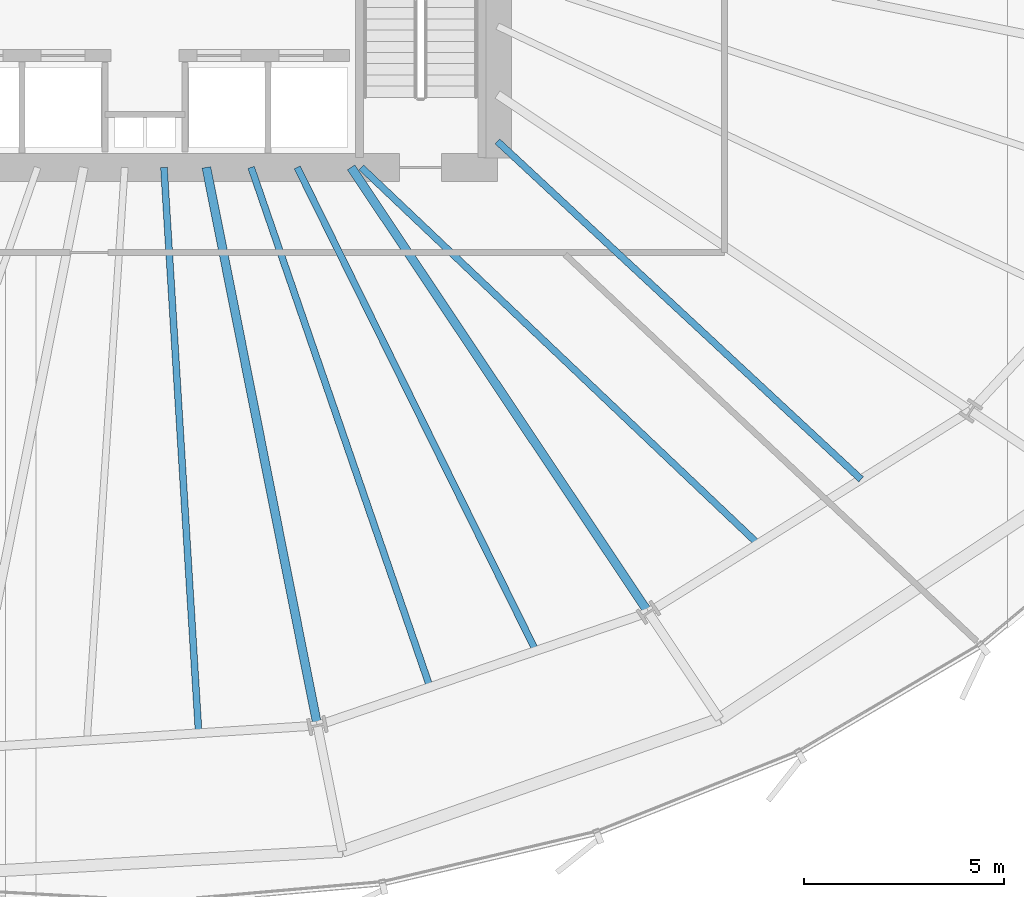
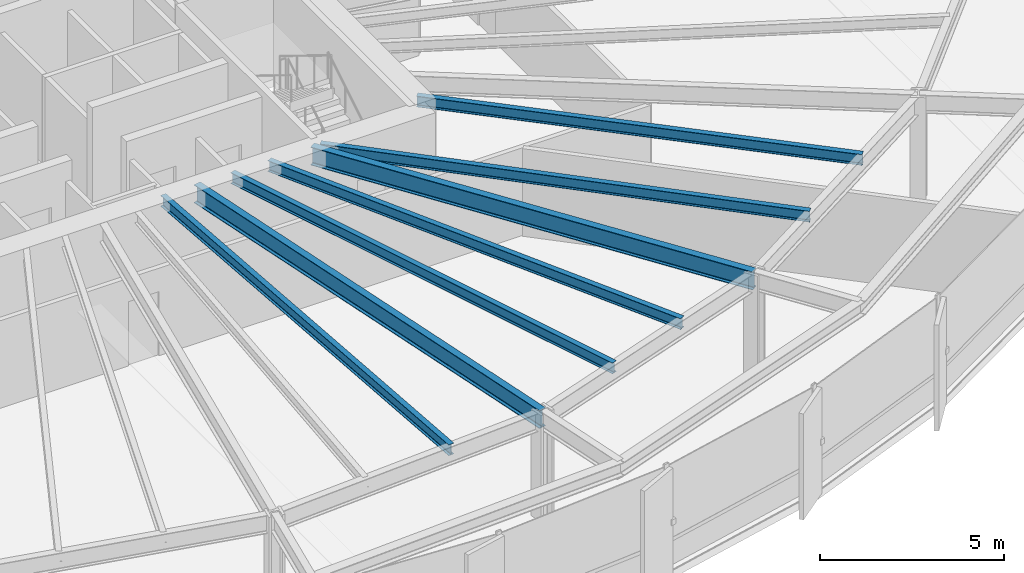
# One storey, part 12 of 39: 7 beams.
"""IFC4 building model written with IfcOpenShell, lengths in metres."""

from ifc_helpers import new_model, si_unit, direction, frame, origin, origin_2d, place, context, subcontext, project, spatial, i_section, extrude, source, transform, mapped, material, material_profile, profile_set, type_object, element, save


model = new_model("IFC4")

# Units and contexts
model_context = context("Model", 3, precision=1e-05, world=origin(), true_north=direction((0.0, 1.0)))
body_context = subcontext(model_context, "Body", "Model", "MODEL_VIEW")
ifc_project = project(units=[si_unit("LENGTHUNIT", "METRE"), si_unit("AREAUNIT", "SQUARE_METRE"), si_unit("VOLUMEUNIT", "CUBIC_METRE"), si_unit("PLANEANGLEUNIT", "RADIAN"), si_unit("MASSUNIT", "GRAM", prefix="KILO"), si_unit("THERMODYNAMICTEMPERATUREUNIT", "KELVIN")], contexts=[model_context])

# Site, building, storey
site_placement = place(None, origin())
site = spatial("IfcSite", under=ifc_project, at=site_placement, CompositionType="ELEMENT")
building_placement = place(site_placement, origin())
building = spatial("IfcBuilding", under=site, at=building_placement, Name="Kethvar Cultural Tower", CompositionType="ELEMENT")
storey_placement = place(building_placement, frame((0.0, 0.0, 33.39990234375)))
storey = spatial("IfcBuildingStorey", under=building, at=storey_placement, Name="L07", CompositionType="ELEMENT", Elevation=33.39990234375)

# Beams
ifc_material = material(Name="Steel S355J2", Category="steel")
ifc_material_profile_1 = material_profile(ifc_material, i_section(OverallWidth=0.219970703125, OverallDepth=0.60009765625, WebThickness=0.011962890625, FlangeThickness=0.01904296875, FilletRadius=0.02392578125, at=origin_2d()), Name="Steel S355J2 — IPE600")
ifc_profile_set_1 = profile_set([ifc_material_profile_1], Name="Steel S355J2 — IPE600")
beam_type_1 = type_object("IfcBeamType", Name="BM-IPE600", PredefinedType="BEAM", material=ifc_profile_set_1)
shared_shape_1 = source(origin(), body_context, "Body", "SweptSolid", [
    extrude(i_section(OverallWidth=0.219970703125, OverallDepth=0.60009765625, WebThickness=0.011962890625, FlangeThickness=0.01904296875, FilletRadius=0.02392578125, at=origin_2d()), origin(), (0.0, 0.0, 1.0), 14.210693359375),
])
beam_1_placement = place(storey_placement, frame((48.33154296875, 20.10009765625, 3.248046875), z_axis=(0.195098432651, -0.980783667063, 0.0), x_axis=(0.980783667063, 0.195098432651, 0.0)))
element("IfcBeam", 1, at=beam_1_placement, inside=storey, type_object=beam_type_1, Name="L07 Primary Radial Beam RB-13", PredefinedType="BEAM", context=body_context, shape_type="MappedRepresentation", body=[
    mapped(shared_shape_1, transform((0.0, 0.0, 0.0), scale=1.0)),
])
shared_shape_2 = source(origin(), body_context, "Body", "SweptSolid", [
    extrude(i_section(OverallWidth=0.219970703125, OverallDepth=0.60009765625, WebThickness=0.011962890625, FlangeThickness=0.01904296875, FilletRadius=0.02392578125, at=origin_2d()), origin(), (0.0, 0.0, 1.0), 13.365478515625),
])
beam_2_placement = place(storey_placement, frame((51.945068359375, 20.10009765625, 3.248046875), z_axis=(0.555559834465, -0.831476560301, 0.0), x_axis=(0.831476560301, 0.555559834465, 0.0)))
element("IfcBeam", 2, at=beam_2_placement, inside=storey, type_object=beam_type_1, Name="L07 Primary Radial Beam RB-14", PredefinedType="BEAM", context=body_context, shape_type="MappedRepresentation", body=[
    mapped(shared_shape_2, transform((0.0, 0.0, 0.0), scale=1.0)),
])
ifc_material_profile_2 = material_profile(ifc_material, i_section(OverallWidth=0.169921875, OverallDepth=0.360107421875, WebThickness=0.008056640625, FlangeThickness=0.0126953125, FilletRadius=0.01806640625, at=origin_2d()), Name="Steel S355J2 — IPE360")
ifc_profile_set_2 = profile_set([ifc_material_profile_2], Name="Steel S355J2 — IPE360")
beam_type_2 = type_object("IfcBeamType", Name="BM-J360", PredefinedType="JOIST", material=ifc_profile_set_2)
shared_shape_3 = source(origin(), body_context, "Body", "SweptSolid", [
    extrude(i_section(OverallWidth=0.169921875, OverallDepth=0.360107421875, WebThickness=0.008056640625, FlangeThickness=0.0126953125, FilletRadius=0.01806640625, at=origin_2d()), origin(), (0.0, 0.0, 1.0), 14.156494140625),
])
beam_3_placement = place(storey_placement, frame((47.272216796875, 20.10009765625, 3.3681640625), z_axis=(0.06122296991, -0.998124114505, 0.0), x_axis=(0.998124114505, 0.06122296991, 0.0)))
element("IfcBeam", 3, at=beam_3_placement, inside=storey, type_object=beam_type_2, Name="L07 Composite Floor Joist J-12B", PredefinedType="JOIST", context=body_context, shape_type="MappedRepresentation", body=[
    mapped(shared_shape_3, transform((0.0, 0.0, 0.0), scale=1.0)),
])
shared_shape_4 = source(origin(), body_context, "Body", "SweptSolid", [
    extrude(i_section(OverallWidth=0.169921875, OverallDepth=0.360107421875, WebThickness=0.008056640625, FlangeThickness=0.0126953125, FilletRadius=0.01806640625, at=origin_2d()), origin(), (0.0, 0.0, 1.0), 13.7236328125),
])
beam_4_placement = place(storey_placement, frame((49.449462890625, 20.10009765625, 3.3681640625), z_axis=(0.325355191569, -0.945591877778, 0.0), x_axis=(0.945591877778, 0.325355191569, 0.0)))
element("IfcBeam", 4, at=beam_4_placement, inside=storey, type_object=beam_type_2, Name="L07 Composite Floor Joist J-13A", PredefinedType="JOIST", context=body_context, shape_type="MappedRepresentation", body=[
    mapped(shared_shape_4, transform((0.0, 0.0, 0.0), scale=1.0)),
])
shared_shape_5 = source(origin(), body_context, "Body", "SweptSolid", [
    extrude(i_section(OverallWidth=0.169921875, OverallDepth=0.360107421875, WebThickness=0.008056640625, FlangeThickness=0.0126953125, FilletRadius=0.01806640625, at=origin_2d()), origin(), (0.0, 0.0, 1.0), 13.4638671875),
])
beam_5_placement = place(storey_placement, frame((50.6005859375, 20.10009765625, 3.3681640625), z_axis=(0.442609148219, -0.89671463795, 0.0), x_axis=(0.89671463795, 0.442609148219, 0.0)))
element("IfcBeam", 5, at=beam_5_placement, inside=storey, type_object=beam_type_2, Name="L07 Composite Floor Joist J-13B", PredefinedType="JOIST", context=body_context, shape_type="MappedRepresentation", body=[
    mapped(shared_shape_5, transform((0.0, 0.0, 0.0), scale=1.0)),
])
shared_shape_6 = source(origin(), body_context, "Body", "SweptSolid", [
    extrude(i_section(OverallWidth=0.169921875, OverallDepth=0.360107421875, WebThickness=0.008056640625, FlangeThickness=0.0126953125, FilletRadius=0.01806640625, at=origin_2d()), origin(), (0.0, 0.0, 1.0), 13.656982421875),
])
beam_6_placement = place(storey_placement, frame((52.199951171875, 20.10009765625, 3.3681640625), z_axis=(0.725392974221, -0.688334971472, 0.0), x_axis=(0.688334971472, 0.725392974221, 0.0)))
element("IfcBeam", 6, at=beam_6_placement, inside=storey, type_object=beam_type_2, Name="L07 Composite Floor Joist J-14A", PredefinedType="JOIST", context=body_context, shape_type="MappedRepresentation", body=[
    mapped(shared_shape_6, transform((0.0, 0.0, 0.0), scale=1.0)),
])
shared_shape_7 = source(origin(), body_context, "Body", "SweptSolid", [
    extrude(i_section(OverallWidth=0.169921875, OverallDepth=0.360107421875, WebThickness=0.008056640625, FlangeThickness=0.0126953125, FilletRadius=0.01806640625, at=origin_2d()), origin(), (0.0, 0.0, 1.0), 12.3974609375),
])
beam_7_placement = place(storey_placement, frame((55.60009765625, 20.75, 3.3681640625), z_axis=(0.732566203092, -0.68069578968, 0.0), x_axis=(0.68069578968, 0.732566203092, 0.0)))
element("IfcBeam", 7, at=beam_7_placement, inside=storey, type_object=beam_type_2, Name="L07 Composite Floor Joist J-14B", PredefinedType="JOIST", context=body_context, shape_type="MappedRepresentation", body=[
    mapped(shared_shape_7, transform((0.0, 0.0, 0.0), scale=1.0)),
])

save(model, "model.ifc")
